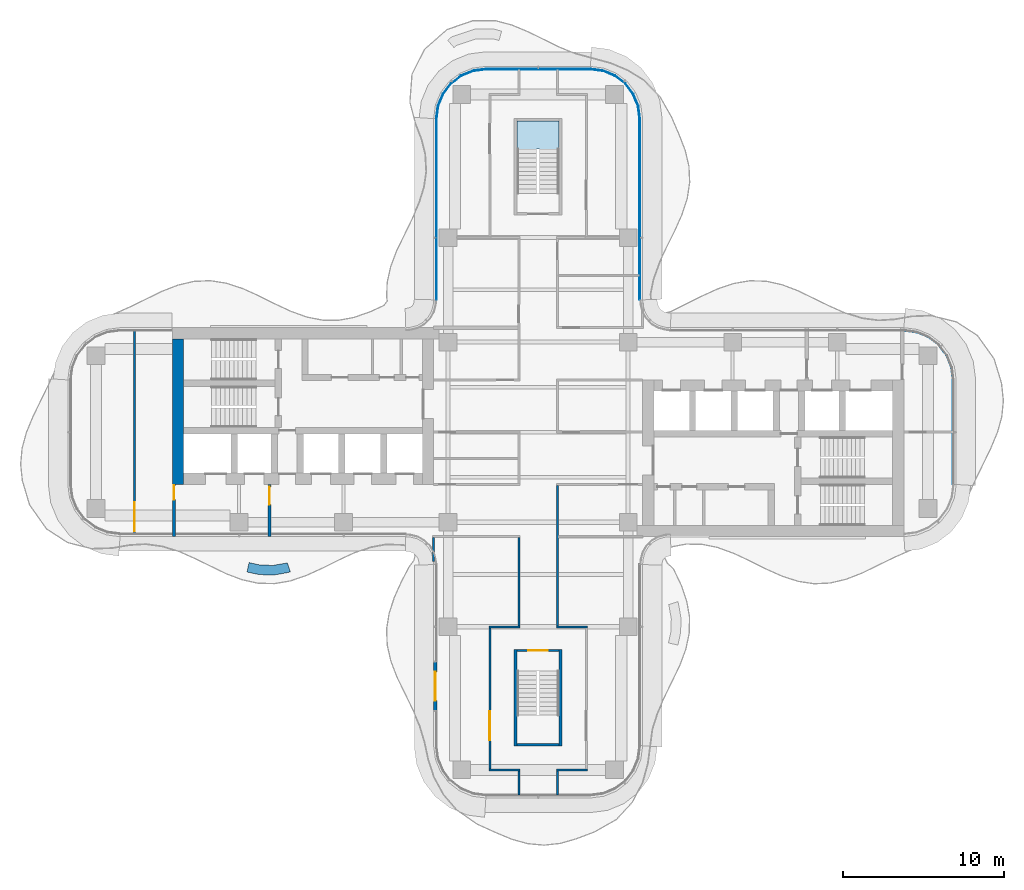
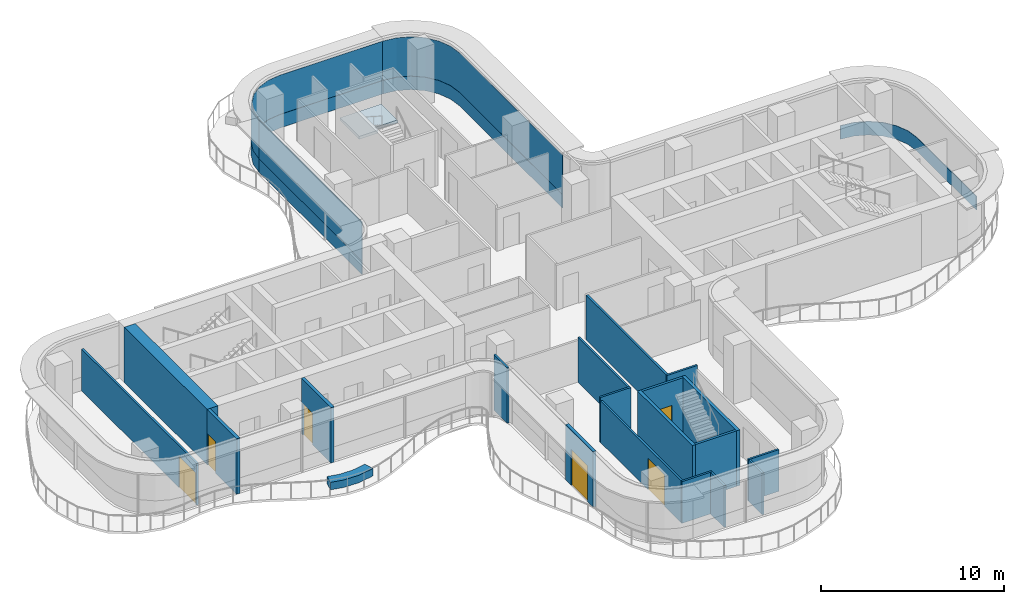
# One storey, part 10 of 16: 20 walls, 7 plates, 6 doors, 1 slab, 6 openings, 5 elements without a shape of their own.
"""IFC4 building model written with IfcOpenShell, lengths in metres."""

import ifcopenshell
import ifcopenshell.guid

model = None  # the IFC model being written
_history = None  # IfcOwnerHistory: only IFC2X3 demands one
_inside = {}  # id of a spatial element -> (the spatial element, [elements in it])
_under = {}  # id of a project, library or spatial element -> (it, [spatial elements below it])
_declared = {}  # id of a project -> (the project, [libraries it declares])
_typed = {}  # id of a type object -> (the type object, [elements of that type])
_made_of = {}  # id of a material, layer set ... -> (it, [elements and type objects made of it])


def new_model(schema):
    """Start an empty IFC model of exactly this schema.

    Asked for "IFC4X3", IfcOpenShell would pick the latest addendum, in which some entities
    have other attributes; the version numbers below select the first issue.
    IFC2X3 requires an IfcOwnerHistory on every rooted entity: one is made here for all.
    """
    global model, _history
    if schema == "IFC4X3":
        model = ifcopenshell.file(schema_version=(4, 3, 0, 0))
    else:
        model = ifcopenshell.file(schema=schema)
    _inside.clear()
    _under.clear()
    _declared.clear()
    _typed.clear()
    _made_of.clear()
    _history = None
    if model.schema == "IFC2X3":
        org = make("IfcOrganization", Name="unknown")
        user = make(
            "IfcPersonAndOrganization",
            ThePerson=make("IfcPerson", FamilyName="unknown"),
            TheOrganization=org,
        )
        app = make(
            "IfcApplication",
            ApplicationDeveloper=org,
            Version="unknown",
            ApplicationFullName="unknown",
            ApplicationIdentifier="unknown",
        )
        _history = make(
            "IfcOwnerHistory",
            OwningUser=user,
            OwningApplication=app,
            ChangeAction="ADDED",
            CreationDate=0,
        )
    return model


def make(cls, **values):
    """One entity of the class cls with the attributes given. An attribute that is None is left unset."""
    return model.create_entity(
        cls, **{name: value for name, value in values.items() if value is not None}
    )


def rooted(cls, **values):
    """An entity with a GlobalId (a new one), such as an element, a storey or a relation."""
    return make(cls, GlobalId=ifcopenshell.guid.new(), OwnerHistory=_history, **values)


def si_unit(unit_type, name, prefix=None):
    """IfcSIUnit, for example si_unit("LENGTHUNIT", "METRE", prefix="MILLI")."""
    return make("IfcSIUnit", UnitType=unit_type, Prefix=prefix, Name=name)


def assignment(units):
    """IfcUnitAssignment: the units of a project."""
    return None if units is None else make("IfcUnitAssignment", Units=units)


def point(xyz):
    """IfcCartesianPoint."""
    return None if xyz is None else make("IfcCartesianPoint", Coordinates=xyz)


def direction(xyz):
    """IfcDirection."""
    return None if xyz is None else make("IfcDirection", DirectionRatios=xyz)


def frame(location, z_axis=None, x_axis=None):
    """IfcAxis2Placement3D, a coordinate frame: its origin and axes. An axis left out is left unset."""
    return make(
        "IfcAxis2Placement3D",
        Location=point(location),
        Axis=direction(z_axis),
        RefDirection=direction(x_axis),
    )


def frame_2d(location, x_axis=None):
    """IfcAxis2Placement2D, a coordinate frame in the plane: its origin and x axis."""
    return make(
        "IfcAxis2Placement2D", Location=point(location), RefDirection=direction(x_axis)
    )


def origin():
    """The frame at (0, 0, 0) with its axes left unset."""
    return frame((0.0, 0.0, 0.0))


def place(relative_to, where):
    """IfcLocalPlacement: puts the frame where relative to a parent placement (None: the world)."""
    return make(
        "IfcLocalPlacement", PlacementRelTo=relative_to, RelativePlacement=where
    )


def context(
    kind, dimensions, precision=None, world=None, true_north=None, identifier=None
):
    """IfcGeometricRepresentationContext, for example the 3D "Model" context."""
    return make(
        "IfcGeometricRepresentationContext",
        ContextIdentifier=identifier,
        ContextType=kind,
        CoordinateSpaceDimension=dimensions,
        Precision=precision,
        WorldCoordinateSystem=world,
        TrueNorth=true_north,
    )


def subcontext(parent, identifier, kind, view, scale=None):
    """IfcGeometricRepresentationSubContext, for example "Body" below "Model"."""
    return make(
        "IfcGeometricRepresentationSubContext",
        ContextIdentifier=identifier,
        ContextType=kind,
        ParentContext=parent,
        TargetScale=scale,
        TargetView=view,
    )


def project(units=None, contexts=None):
    """IfcProject with its units and contexts."""
    return rooted(
        "IfcProject",
        Name="project",
        RepresentationContexts=contexts,
        UnitsInContext=assignment(units),
    )


def spatial(cls, under=None, at=None, **own):
    """A site, building, storey or space (cls), placed at a placement, below another one or the project."""
    s = rooted(cls, ObjectPlacement=at, **own)
    if under is not None:
        _under.setdefault(under.id(), (under, []))[1].append(s)
    return s


def polyline(points):
    """IfcPolyline through the points."""
    return make("IfcPolyline", Points=[point(p) for p in points])


def profile(cls, at=None, kind="AREA", **sizes):
    """A parametric profile (cls). Its sizes go by their IFC names, for example OverallWidth=200.0."""
    return make(cls, ProfileType=kind, Position=at, **sizes)


def rectangle(**sizes):
    """IfcRectangleProfileDef."""
    return profile("IfcRectangleProfileDef", **sizes)


def outline(outer, holes=None, kind="AREA"):
    """IfcArbitraryClosedProfileDef: a profile drawn as a closed curve; with holes, ...WithVoids."""
    if holes is None:
        return make("IfcArbitraryClosedProfileDef", ProfileType=kind, OuterCurve=outer)
    return make(
        "IfcArbitraryProfileDefWithVoids",
        ProfileType=kind,
        OuterCurve=outer,
        InnerCurves=holes,
    )


def extrude(swept, where, along, depth):
    """IfcExtrudedAreaSolid: the profile swept, set in the frame where, extruded along a direction by depth."""
    return make(
        "IfcExtrudedAreaSolid",
        SweptArea=swept,
        Position=where,
        ExtrudedDirection=direction(along),
        Depth=depth,
    )


def shape(context_of_items, identifier, shape_type, items):
    """IfcShapeRepresentation: the items that make up one representation, for example the "Body"."""
    return make(
        "IfcShapeRepresentation",
        ContextOfItems=context_of_items,
        RepresentationIdentifier=identifier,
        RepresentationType=shape_type,
        Items=items,
    )


def source(mapping_origin, context_of_items, identifier, shape_type, items):
    """IfcRepresentationMap: a shape defined once, which mapped items show again and again."""
    return make(
        "IfcRepresentationMap",
        MappingOrigin=mapping_origin,
        MappedRepresentation=shape(context_of_items, identifier, shape_type, items),
    )


def transform(
    local_origin,
    x_axis=None,
    y_axis=None,
    z_axis=None,
    scale=None,
    scale2=None,
    scale3=None,
    uniform=True,
):
    """IfcCartesianTransformationOperator3D, or its non-uniform kind. x_axis, y_axis, z_axis: its Axis1, 2, 3."""
    if uniform:
        return make(
            "IfcCartesianTransformationOperator3D",
            Axis1=direction(x_axis),
            Axis2=direction(y_axis),
            LocalOrigin=point(local_origin),
            Scale=scale,
            Axis3=direction(z_axis),
        )
    return make(
        "IfcCartesianTransformationOperator3DnonUniform",
        Axis1=direction(x_axis),
        Axis2=direction(y_axis),
        LocalOrigin=point(local_origin),
        Scale=scale,
        Axis3=direction(z_axis),
        Scale2=scale2,
        Scale3=scale3,
    )


def mapped(mapping_source, mapping_target):
    """IfcMappedItem: shows the shape of a source again, moved by a transform."""
    return make(
        "IfcMappedItem", MappingSource=mapping_source, MappingTarget=mapping_target
    )


def material(Name=None, Category=None):
    """IfcMaterial."""
    return make("IfcMaterial", Name=Name, Category=Category)


def layer(
    of_material, thickness, ventilated=None, Name=None, Category=None, Priority=None
):
    """IfcMaterialLayer: one layer of a wall or slab, of a material (None: an air gap)."""
    return make(
        "IfcMaterialLayer",
        Material=of_material,
        LayerThickness=thickness,
        IsVentilated=ventilated,
        Name=Name,
        Category=Category,
        Priority=Priority,
    )


def layer_set(layers, Name=None):
    """IfcMaterialLayerSet."""
    return make("IfcMaterialLayerSet", MaterialLayers=layers, LayerSetName=Name)


def made_of(thing, what):
    """Note that an element or type object is made of a material, layer set ...; save() writes the relation."""
    if what is not None:
        _made_of.setdefault(what.id(), (what, []))[1].append(thing)
    return thing


def type_object(cls, material=None, **own):
    """A type object (cls), such as IfcWallType, which elements share."""
    return made_of(rooted(cls, **own), material)


def element(
    cls,
    number,
    at=None,
    inside=None,
    cuts=None,
    type_object=None,
    material=None,
    context=None,
    identifier="Body",
    shape_type=None,
    held_by="IfcProductDefinitionShape",
    body=None,
    shapes=None,
    **own,
):
    """One element of the class cls, such as IfcWall. Its Tag is "e" and its number.

    at: its placement. inside: the storey or other place that contains it. cuts: it is an
    opening in that element (IfcRelVoidsElement). A single representation is given by context,
    identifier, shape_type and body (its items); several are given by shapes. held_by: the class
    of the entity that holds the representations. save() writes the other relations.
    """
    e = rooted(cls, Tag="e%d" % number, ObjectPlacement=at, **own)
    if body is not None:
        shapes = [shape(context, identifier, shape_type, body)]
    if shapes is not None:
        e.Representation = make(held_by, Representations=shapes)
    if inside is not None:
        _inside.setdefault(inside.id(), (inside, []))[1].append(e)
    if cuts is not None:
        rooted(
            "IfcRelVoidsElement", RelatingBuildingElement=cuts, RelatedOpeningElement=e
        )
    if type_object is not None:
        _typed.setdefault(type_object.id(), (type_object, []))[1].append(e)
    return made_of(e, material)


def fill(opening, filler):
    """IfcRelFillsElement: the door or window that sits in an opening."""
    return rooted(
        "IfcRelFillsElement",
        RelatingOpeningElement=opening,
        RelatedBuildingElement=filler,
    )


def aggregate(whole, parts):
    """IfcRelAggregates: a whole, such as a stair, and the parts it consists of."""
    return rooted("IfcRelAggregates", RelatingObject=whole, RelatedObjects=parts)


def save(model, path):
    """Write the relations noted so far, then the file.

    IfcRelAggregates (storeys below a building ...), IfcRelContainedInSpatialStructure (elements
    in a storey), IfcRelDefinesByType, IfcRelAssociatesMaterial and IfcRelDeclares: one each for
    every whole, place, type object, material and project.
    """
    for whole, parts in _under.values():
        aggregate(whole, parts)
    for where, things in _inside.values():
        rooted(
            "IfcRelContainedInSpatialStructure",
            RelatedElements=things,
            RelatingStructure=where,
        )
    for kind, things in _typed.values():
        rooted("IfcRelDefinesByType", RelatedObjects=things, RelatingType=kind)
    for what, things in _made_of.values():
        rooted("IfcRelAssociatesMaterial", RelatedObjects=things, RelatingMaterial=what)
    for by, libraries in _declared.values():
        rooted("IfcRelDeclares", RelatingContext=by, RelatedDefinitions=libraries)
    model.write(path)


model = new_model("IFC4")

# Units and contexts
model_context = context("Model", 3, precision=1e-05, world=origin(), true_north=direction((0.0, 1.0)))
body_context = subcontext(model_context, "Body", "Model", "MODEL_VIEW")
ifc_project = project(units=[si_unit("LENGTHUNIT", "METRE"), si_unit("AREAUNIT", "SQUARE_METRE"), si_unit("VOLUMEUNIT", "CUBIC_METRE"), si_unit("PLANEANGLEUNIT", "RADIAN"), si_unit("MASSUNIT", "GRAM", prefix="KILO")], contexts=[model_context])

# Site, building, storey
site_placement = place(None, origin())
site = spatial("IfcSite", under=ifc_project, at=site_placement, CompositionType="ELEMENT")
building_placement = place(site_placement, origin())
building = spatial("IfcBuilding", under=site, at=building_placement, Name="Trellis Farm Tower", CompositionType="ELEMENT")
storey_placement = place(building_placement, frame((0.0, 0.0, 248.0)))
storey = spatial("IfcBuildingStorey", under=building, at=storey_placement, Name="L55", CompositionType="ELEMENT", Elevation=248.0)

# Stair, slab
ifc_material_1 = material(Name="Concrete C50/60", Category="concrete")
stair_type = type_object("IfcStairType", Name="CORE EXIT STAIR 22 RISERS 177 MM", PredefinedType="HALF_TURN_STAIR", material=ifc_material_1)
placement_1 = place(storey_placement, origin())
stair = element("IfcStair", 1, at=placement_1, inside=storey, type_object=stair_type, Name="Exit stair N", PredefinedType="HALF_TURN_STAIR")
ifc_layer_1 = layer(ifc_material_1, 0.18994140625)
ifc_layer_set_1 = layer_set([ifc_layer_1], Name="CORE STAIR LANDING 190 CONCRETE C50/60")
slab_type = type_object("IfcSlabType", Name="CORE STAIR LANDING 190 CONCRETE C50/60", PredefinedType="LANDING", material=ifc_layer_set_1)
shared_shape_1 = source(origin(), body_context, "Body", "SweptSolid", [
    extrude(outline(polyline([(-0.10009765625, 17.27197265625), (-1.300048828125, 17.27197265625), (-1.300048828125, 17.60009765625), (-1.300048828125, 19.35009765625), (1.300048828125, 19.35009765625), (1.300048828125, 17.60009765625), (1.300048828125, 17.590087890625), (0.10009765625, 17.590087890625), (0.10009765625, 17.60009765625), (-0.10009765625, 17.60009765625), (-0.10009765625, 17.27197265625)])), origin(), (0.0, 0.0, 1.0), 0.18994140625),
])
slab_placement = place(storey_placement, frame((0.0, 0.0, 1.760009765625)))
slab = element("IfcSlab", 2, at=slab_placement, type_object=slab_type, Name="STN landing 1", PredefinedType="LANDING", context=body_context, shape_type="MappedRepresentation", body=[
    mapped(shared_shape_1, transform((0.0, 0.0, 0.0))),
])
aggregate(stair, [slab])

# Curtain wall, plates
ifc_material_2 = material(Name="Aluminium and glass curtain wall", Category="aluminium")
ifc_layer_2 = layer(ifc_material_2, 0.18994140625)
ifc_layer_set_2 = layer_set([ifc_layer_2], Name="RIBBON CURTAIN WALL CW1")
curtain_wall_type = type_object("IfcCurtainWallType", Name="RIBBON CURTAIN WALL CW1", PredefinedType="NOTDEFINED", material=ifc_layer_set_2)
curtain_wall_1 = element("IfcCurtainWall", 3, at=placement_1, inside=storey, type_object=curtain_wall_type, Name="CW1 009", PredefinedType="NOTDEFINED")
ifc_material_3 = material(Name="Clear insulated glass", Category="glass")
ifc_layer_3 = layer(ifc_material_3, 0.0400390625)
ifc_layer_set_3 = layer_set([ifc_layer_3], Name="CW1 GLASS PANEL 40")
plate_type_1 = type_object("IfcPlateType", Name="CW1 GLASS PANEL 40", PredefinedType="CURTAIN_PANEL", material=ifc_layer_set_3)
shared_shape_2 = source(origin(), body_context, "Body", "SweptSolid", [
    extrude(outline(polyline([(6.35009765625, 8.2265625), (6.35009765625, 19.490234375), (6.2431640625, 20.302001953125), (5.93359375, 21.04931640625), (5.441162109375, 21.691162109375), (4.79931640625, 22.18359375), (4.052001953125, 22.4931640625), (3.240234375, 22.60009765625), (3.237548828125, 22.56005859375), (4.04150390625, 22.4541015625), (4.779296875, 22.148681640625), (5.41259765625, 21.66259765625), (5.898681640625, 21.029296875), (6.2041015625, 20.29150390625), (6.31005859375, 19.487548828125), (6.31005859375, 8.22509765625), (6.35009765625, 8.2265625)])), origin(), (0.0, 0.0, 1.0), 2.6201171875),
])
placement_2 = place(storey_placement, frame((0.0, 0.0, 0.89990234375)))
plate_1 = element("IfcPlate", 4, at=placement_2, type_object=plate_type_1, Name="PL1 009", PredefinedType="CURTAIN_PANEL", context=body_context, shape_type="MappedRepresentation", body=[
    mapped(shared_shape_2, transform((0.0, 0.0, 0.0))),
])
ifc_material_4 = material(Name="Sandstone faced insulated panel", Category="masonry")
ifc_layer_4 = layer(ifc_material_4, 0.050048828125)
ifc_layer_set_4 = layer_set([ifc_layer_4], Name="CW1 STONE SPANDREL PANEL 50")
plate_type_2 = type_object("IfcPlateType", Name="CW1 STONE SPANDREL PANEL 50", PredefinedType="CURTAIN_PANEL", material=ifc_layer_set_4)
shared_shape_3 = source(origin(), body_context, "Body", "SweptSolid", [
    extrude(outline(polyline([(6.35009765625, 8.2265625), (6.35009765625, 19.490234375), (6.2431640625, 20.302001953125), (5.93359375, 21.04931640625), (5.441162109375, 21.691162109375), (4.79931640625, 22.18359375), (4.052001953125, 22.4931640625), (3.240234375, 22.60009765625), (3.23681640625, 22.550048828125), (4.0390625, 22.4443359375), (4.774169921875, 22.139892578125), (5.405517578125, 21.655517578125), (5.889892578125, 21.024169921875), (6.1943359375, 20.2890625), (6.300048828125, 19.48681640625), (6.300048828125, 8.224853515625), (6.35009765625, 8.2265625)])), origin(), (0.0, 0.0, 1.0), 0.89990234375),
])
plate_2 = element("IfcPlate", 5, at=placement_1, type_object=plate_type_2, Name="PS1 009", PredefinedType="CURTAIN_PANEL", context=body_context, shape_type="MappedRepresentation", body=[
    mapped(shared_shape_3, transform((0.0, 0.0, 0.0))),
])
aggregate(curtain_wall_1, [plate_1, plate_2])

curtain_wall_2 = element("IfcCurtainWall", 6, at=placement_1, inside=storey, type_object=curtain_wall_type, Name="CW1 010", PredefinedType="NOTDEFINED")
shared_shape_4 = source(origin(), body_context, "Body", "SweptSolid", [
    extrude(outline(polyline([(3.240234375, 22.60009765625), (-3.240234375, 22.60009765625), (-4.052001953125, 22.4931640625), (-4.79931640625, 22.18359375), (-5.441162109375, 21.691162109375), (-5.93359375, 21.04931640625), (-6.2431640625, 20.302001953125), (-6.35009765625, 19.490234375), (-6.31005859375, 19.487548828125), (-6.2041015625, 20.29150390625), (-5.898681640625, 21.029296875), (-5.41259765625, 21.66259765625), (-4.779296875, 22.148681640625), (-4.04150390625, 22.4541015625), (-3.237548828125, 22.56005859375), (3.237548828125, 22.56005859375), (3.240234375, 22.60009765625)])), origin(), (0.0, 0.0, 1.0), 2.6201171875),
])
plate_3 = element("IfcPlate", 7, at=placement_2, type_object=plate_type_1, Name="PL1 010", PredefinedType="CURTAIN_PANEL", context=body_context, shape_type="MappedRepresentation", body=[
    mapped(shared_shape_4, transform((0.0, 0.0, 0.0))),
])
shared_shape_5 = source(origin(), body_context, "Body", "SweptSolid", [
    extrude(outline(polyline([(3.240234375, 22.60009765625), (-3.240234375, 22.60009765625), (-4.052001953125, 22.4931640625), (-4.79931640625, 22.18359375), (-5.441162109375, 21.691162109375), (-5.93359375, 21.04931640625), (-6.2431640625, 20.302001953125), (-6.35009765625, 19.490234375), (-6.300048828125, 19.48681640625), (-6.1943359375, 20.2890625), (-5.889892578125, 21.024169921875), (-5.405517578125, 21.655517578125), (-4.774169921875, 22.139892578125), (-4.0390625, 22.4443359375), (-3.23681640625, 22.550048828125), (3.23681640625, 22.550048828125), (3.240234375, 22.60009765625)])), origin(), (0.0, 0.0, 1.0), 0.89990234375),
])
plate_4 = element("IfcPlate", 8, at=placement_1, type_object=plate_type_2, Name="PS1 010", PredefinedType="CURTAIN_PANEL", context=body_context, shape_type="MappedRepresentation", body=[
    mapped(shared_shape_5, transform((0.0, 0.0, 0.0))),
])
aggregate(curtain_wall_2, [plate_3, plate_4])

curtain_wall_3 = element("IfcCurtainWall", 9, at=placement_1, inside=storey, type_object=curtain_wall_type, Name="CW1 011", PredefinedType="NOTDEFINED")
shared_shape_6 = source(origin(), body_context, "Body", "SweptSolid", [
    extrude(outline(polyline([(-6.35009765625, 19.490234375), (-6.35009765625, 8.2265625), (-6.31005859375, 8.22509765625), (-6.31005859375, 19.487548828125), (-6.35009765625, 19.490234375)])), origin(), (0.0, 0.0, 1.0), 2.6201171875),
])
plate_5 = element("IfcPlate", 10, at=placement_2, type_object=plate_type_1, Name="PL1 011", PredefinedType="CURTAIN_PANEL", context=body_context, shape_type="MappedRepresentation", body=[
    mapped(shared_shape_6, transform((0.0, 0.0, 0.0))),
])
shared_shape_7 = source(origin(), body_context, "Body", "SweptSolid", [
    extrude(outline(polyline([(-6.35009765625, 19.490234375), (-6.35009765625, 8.2265625), (-6.300048828125, 8.224853515625), (-6.300048828125, 19.48681640625), (-6.35009765625, 19.490234375)])), origin(), (0.0, 0.0, 1.0), 0.89990234375),
])
plate_6 = element("IfcPlate", 11, at=placement_1, type_object=plate_type_2, Name="PS1 011", PredefinedType="CURTAIN_PANEL", context=body_context, shape_type="MappedRepresentation", body=[
    mapped(shared_shape_7, transform((0.0, 0.0, 0.0))),
])
aggregate(curtain_wall_3, [plate_5, plate_6])

# Curtain wall, plate
curtain_wall_4 = element("IfcCurtainWall", 12, at=placement_1, inside=storey, type_object=curtain_wall_type, Name="CW1 007", PredefinedType="NOTDEFINED")
shared_shape_8 = source(origin(), body_context, "Body", "SweptSolid", [
    extrude(outline(polyline([(25.85009765625, -3.240234375), (25.85009765625, 3.240234375), (25.7431640625, 4.052001953125), (25.43359375, 4.79931640625), (24.941162109375, 5.441162109375), (24.29931640625, 5.93359375), (23.552001953125, 6.2431640625), (22.740234375, 6.35009765625), (22.73681640625, 6.300048828125), (23.5390625, 6.1943359375), (24.274169921875, 5.889892578125), (24.905517578125, 5.405517578125), (25.389892578125, 4.774169921875), (25.6943359375, 4.0390625), (25.800048828125, 3.23681640625), (25.800048828125, -3.23681640625), (25.85009765625, -3.240234375)])), origin(), (0.0, 0.0, 1.0), 0.89990234375),
])
plate_7 = element("IfcPlate", 13, at=placement_1, type_object=plate_type_2, Name="PS1 007", PredefinedType="CURTAIN_PANEL", context=body_context, shape_type="MappedRepresentation", body=[
    mapped(shared_shape_8, transform((0.0, 0.0, 0.0))),
])
aggregate(curtain_wall_4, [plate_7])

# Walls
ifc_material_5 = material(Name="Sandstone faced masonry planter", Category="masonry")
ifc_layer_5 = layer(ifc_material_5, 0.60009765625)
ifc_layer_set_5 = layer_set([ifc_layer_5], Name="PLANTER BED 600")
wall_type_1 = type_object("IfcWallType", Name="PLANTER BED 600", PredefinedType="USERDEFINED", material=ifc_layer_set_5)
element("IfcWall", 14, at=placement_1, inside=storey, type_object=wall_type_1, Name="PLANTER bed", ObjectType="PLANTER", PredefinedType="USERDEFINED", context=body_context, shape_type="SweptSolid", body=[
    extrude(outline(polyline([(-16.4287109375, -8.8818359375), (-17.35107421875, -8.85888671875), (-18.105712890625, -8.693115234375), (-17.976806640625, -8.10693359375), (-17.278564453125, -8.260498046875), (-16.47314453125, -8.280517578125), (-15.681396484375, -8.142578125), (-15.603271484375, -8.1162109375), (-15.409423828125, -8.683837890625), (-15.531982421875, -8.725830078125), (-16.4287109375, -8.8818359375)])), origin(), (0.0, 0.0, 1.0), 0.5),
])
ifc_material_6 = material(Name="Concrete C60/75", Category="concrete")
ifc_layer_6 = layer(ifc_material_6, 0.699951171875)
ifc_layer_set_6 = layer_set([ifc_layer_6], Name="CORE OUTER WALL 700 CONCRETE C60/75")
wall_type_2 = type_object("IfcWallType", Name="CORE OUTER WALL 700 CONCRETE C60/75", PredefinedType="SHEAR", material=ifc_layer_set_6)
shared_shape_9 = source(origin(), body_context, "Body", "SweptSolid", [
    extrude(rectangle(XDim=9.050048828125, YDim=0.699951171875, at=frame_2d((4.52490234375, 0.0))), origin(), (0.0, 0.0, 1.0), 3.699951171875),
])
wall_2_placement = place(storey_placement, frame((-22.39990234375, 5.800048828125, 0.0), z_axis=(0.0, 0.0, 1.0), x_axis=(0.0, -1.0, 0.0)))
element("IfcWall", 15, at=wall_2_placement, inside=storey, type_object=wall_type_2, Name="Core wall", PredefinedType="SHEAR", context=body_context, shape_type="MappedRepresentation", body=[
    mapped(shared_shape_9, transform((0.0, 0.0, 0.0))),
])

# Wall, opening, door
ifc_material_7 = material(Name="Masonry blockwork", Category="masonry")
ifc_layer_7 = layer(ifc_material_7, 0.199951171875)
ifc_layer_set_7 = layer_set([ifc_layer_7], Name="FIRE LOBBY PARTITION 200 BLOCKWORK")
wall_type_3 = type_object("IfcWallType", Name="FIRE LOBBY PARTITION 200 BLOCKWORK", PredefinedType="PARTITIONING", material=ifc_layer_set_7)
shared_shape_10 = source(origin(), body_context, "Body", "SweptSolid", [
    extrude(rectangle(XDim=3.25, YDim=0.199951171875, at=frame_2d((1.625, 0.0))), origin(), (0.0, 0.0, 1.0), 3.699951171875),
])
wall_3_placement = place(storey_placement, frame((-16.699951171875, -3.25, 0.0), z_axis=(0.0, 0.0, 1.0), x_axis=(0.0, -1.0, 0.0)))
wall_3 = element("IfcWall", 16, at=wall_3_placement, inside=storey, type_object=wall_type_3, Name="Fire-fighting lobby partition", PredefinedType="PARTITIONING", context=body_context, shape_type="MappedRepresentation", body=[
    mapped(shared_shape_10, transform((0.0, 0.0, 0.0))),
])
shared_shape_11 = source(origin(), body_context, "Body", "SweptSolid", [
    extrude(rectangle(XDim=1.10009765625, YDim=2.10009765625, at=frame_2d((0.550048828125, 1.050048828125))), frame((0.0, 0.110107421875, 0.0), z_axis=(0.0, -1.0, 0.0), x_axis=(1.0, 0.0, 0.0)), (0.0, 0.0, 1.0), 0.22021484375),
])
opening_1_placement = place(wall_3_placement, frame((0.14990234375, 0.0, 0.0)))
opening_1 = element("IfcOpeningElement", 17, at=opening_1_placement, cuts=wall_3, Name="Opening DC93", PredefinedType="OPENING", context=body_context, shape_type="MappedRepresentation", body=[
    mapped(shared_shape_11, transform((0.0, 0.0, 0.0))),
])
ifc_material_8 = material(Name="Steel", Category="steel")
door_type_1 = type_object("IfcDoorType", Name="CORE FIRE DOOR 1100 X 2100", OperationType="NOTDEFINED", PredefinedType="DOOR", material=ifc_material_8)
shared_shape_12 = source(origin(), body_context, "Body", "SweptSolid", [
    extrude(rectangle(XDim=1.10009765625, YDim=2.10009765625, at=frame_2d((0.550048828125, 1.050048828125))), frame((0.0, 0.02490234375, 0.0), z_axis=(0.0, -1.0, 0.0), x_axis=(1.0, 0.0, 0.0)), (0.0, 0.0, 1.0), 0.050048828125),
])
door_1_placement = place(opening_1_placement, origin())
door_1 = element("IfcDoor", 18, at=door_1_placement, inside=storey, type_object=door_type_1, Name="Core door", OperationType="SINGLE_SWING_RIGHT", OverallHeight=2.10009765625, OverallWidth=1.10009765625, PredefinedType="DOOR", context=body_context, shape_type="MappedRepresentation", body=[
    mapped(shared_shape_12, transform((0.0, 0.0, 0.0))),
])
fill(opening_1, door_1)

wall_4_placement = place(storey_placement, frame((-22.64990234375, -3.25, 0.0), z_axis=(0.0, 0.0, 1.0), x_axis=(0.0, -1.0, 0.0)))
wall_4 = element("IfcWall", 19, at=wall_4_placement, inside=storey, type_object=wall_type_3, Name="Fire-fighting lobby partition", PredefinedType="PARTITIONING", context=body_context, shape_type="MappedRepresentation", body=[
    mapped(shared_shape_10, transform((0.0, 0.0, 0.0))),
])
shared_shape_13 = source(origin(), body_context, "Body", "SweptSolid", [
    extrude(rectangle(XDim=0.89990234375, YDim=2.10009765625, at=frame_2d((0.449951171875, 1.050048828125))), frame((0.0, 0.110107421875, 0.0), z_axis=(0.0, -1.0, 0.0), x_axis=(1.0, 0.0, 0.0)), (0.0, 0.0, 1.0), 0.22021484375),
])
opening_2_placement = place(wall_4_placement, frame((0.050048828125, 0.0, 0.0)))
opening_2 = element("IfcOpeningElement", 20, at=opening_2_placement, cuts=wall_4, Name="Opening DC94", PredefinedType="OPENING", context=body_context, shape_type="MappedRepresentation", body=[
    mapped(shared_shape_13, transform((0.0, 0.0, 0.0))),
])
door_type_2 = type_object("IfcDoorType", Name="CORE FIRE DOOR 900 X 2100", OperationType="NOTDEFINED", PredefinedType="DOOR", material=ifc_material_8)
shared_shape_14 = source(origin(), body_context, "Body", "SweptSolid", [
    extrude(rectangle(XDim=0.89990234375, YDim=2.10009765625, at=frame_2d((0.449951171875, 1.050048828125))), frame((0.0, 0.02490234375, 0.0), z_axis=(0.0, -1.0, 0.0), x_axis=(1.0, 0.0, 0.0)), (0.0, 0.0, 1.0), 0.050048828125),
])
door_2_placement = place(opening_2_placement, origin())
door_2 = element("IfcDoor", 21, at=door_2_placement, inside=storey, type_object=door_type_2, Name="Core door", OperationType="SINGLE_SWING_RIGHT", OverallHeight=2.10009765625, OverallWidth=0.89990234375, PredefinedType="DOOR", context=body_context, shape_type="MappedRepresentation", body=[
    mapped(shared_shape_14, transform((0.0, 0.0, 0.0))),
])
fill(opening_2, door_2)

# Walls
ifc_layer_8 = layer(ifc_material_6, 0.199951171875)
ifc_layer_set_8 = layer_set([ifc_layer_8], Name="CORE STAIR ENCLOSURE WALL 200 CONCRETE C60/75")
wall_type_4 = type_object("IfcWallType", Name="CORE STAIR ENCLOSURE WALL 200 CONCRETE C60/75", PredefinedType="SHEAR", material=ifc_layer_set_8)
shared_shape_15 = source(origin(), body_context, "Body", "SweptSolid", [
    extrude(rectangle(XDim=6.0, YDim=0.199951171875, at=frame_2d((3.0, 0.0))), origin(), (0.0, 0.0, 1.0), 3.699951171875),
])
for number, where, z_axis, x_axis, name in (
    (22, (1.39990234375, -13.5, 0.0), (0.0, 0.0, 1.0), (0.0, -1.0, 0.0), "Stair enclosure wall"),
    (23, (-1.39990234375, -13.5, 0.0), (0.0, 0.0, 1.0), (0.0, -1.0, 0.0), "Stair enclosure wall"),
):
    element("IfcWall", number, at=place(storey_placement, frame(where, z_axis=z_axis, x_axis=x_axis)), inside=storey, type_object=wall_type_4, Name=name, PredefinedType="SHEAR", context=body_context, shape_type="MappedRepresentation", body=[
        mapped(shared_shape_15, transform((0.0, 0.0, 0.0))),
    ])

# Wall, opening, door
ifc_layer_9 = layer(ifc_material_6, 0.14990234375)
ifc_layer_set_9 = layer_set([ifc_layer_9], Name="CORE STAIR ENCLOSURE WALL 150 CONCRETE C60/75")
wall_type_5 = type_object("IfcWallType", Name="CORE STAIR ENCLOSURE WALL 150 CONCRETE C60/75", PredefinedType="SHEAR", material=ifc_layer_set_9)
shared_shape_16 = source(origin(), body_context, "Body", "SweptSolid", [
    extrude(rectangle(XDim=2.60009765625, YDim=0.14990234375, at=frame_2d((1.300048828125, 0.0))), origin(), (0.0, 0.0, 1.0), 3.699951171875),
])
wall_5_placement = place(storey_placement, frame((1.300048828125, -13.574951171875, 0.0), z_axis=(0.0, 0.0, 1.0), x_axis=(-1.0, 0.0, 0.0)))
wall_5 = element("IfcWall", 24, at=wall_5_placement, inside=storey, type_object=wall_type_5, Name="Stair enclosure wall", PredefinedType="SHEAR", context=body_context, shape_type="MappedRepresentation", body=[
    mapped(shared_shape_16, transform((0.0, 0.0, 0.0))),
])
shared_shape_17 = source(origin(), body_context, "Body", "SweptSolid", [
    extrude(rectangle(XDim=1.199951171875, YDim=2.10009765625, at=frame_2d((0.60009765625, 1.050048828125))), frame((0.0, 0.0849609375, 0.0), z_axis=(0.0, -1.0, 0.0), x_axis=(1.0, 0.0, 0.0)), (0.0, 0.0, 1.0), 0.169921875),
])
opening_3_placement = place(wall_5_placement, frame((0.699951171875, 0.0, 0.0)))
opening_3 = element("IfcOpeningElement", 25, at=opening_3_placement, cuts=wall_5, Name="Opening DC174", PredefinedType="OPENING", context=body_context, shape_type="MappedRepresentation", body=[
    mapped(shared_shape_17, transform((0.0, 0.0, 0.0))),
])
door_type_3 = type_object("IfcDoorType", Name="CORE FIRE DOOR 1200 X 2100", OperationType="NOTDEFINED", PredefinedType="DOOR", material=ifc_material_8)
shared_shape_18 = source(origin(), body_context, "Body", "SweptSolid", [
    extrude(rectangle(XDim=1.199951171875, YDim=2.10009765625, at=frame_2d((0.60009765625, 1.050048828125))), frame((0.0, 0.02490234375, 0.0), z_axis=(0.0, -1.0, 0.0), x_axis=(1.0, 0.0, 0.0)), (0.0, 0.0, 1.0), 0.050048828125),
])
door_3_placement = place(opening_3_placement, origin())
door_3 = element("IfcDoor", 26, at=door_3_placement, inside=storey, type_object=door_type_3, Name="Core door", OperationType="SINGLE_SWING_RIGHT", OverallHeight=2.10009765625, OverallWidth=1.199951171875, PredefinedType="DOOR", context=body_context, shape_type="MappedRepresentation", body=[
    mapped(shared_shape_18, transform((0.0, 0.0, 0.0))),
])
fill(opening_3, door_3)

# Wall
wall_6_placement = place(storey_placement, frame((1.300048828125, -19.425048828125, 0.0), z_axis=(0.0, 0.0, 1.0), x_axis=(-1.0, 0.0, 0.0)))
element("IfcWall", 27, at=wall_6_placement, inside=storey, type_object=wall_type_5, Name="Stair enclosure wall", PredefinedType="SHEAR", context=body_context, shape_type="MappedRepresentation", body=[
    mapped(shared_shape_16, transform((0.0, 0.0, 0.0))),
])

# Wall, opening, door
ifc_material_9 = material(Name="Sandstone faced insulated wall", Category="masonry")
ifc_layer_10 = layer(ifc_material_9, 0.199951171875)
ifc_layer_set_10 = layer_set([ifc_layer_10], Name="EXTERNAL INFILL WALL 200")
wall_type_6 = type_object("IfcWallType", Name="EXTERNAL INFILL WALL 200", PredefinedType="SOLIDWALL", material=ifc_layer_set_10)
shared_shape_19 = source(origin(), body_context, "Body", "SweptSolid", [
    extrude(rectangle(XDim=3.0, YDim=0.199951171875, at=frame_2d((1.5, 0.0))), origin(), (0.0, 0.0, 1.0), 3.699951171875),
])
wall_7_placement = place(storey_placement, frame((-6.39990234375, -14.300048828125, 0.0), z_axis=(0.0, 0.0, 1.0), x_axis=(0.0, -1.0, 0.0)))
wall_7 = element("IfcWall", 28, at=wall_7_placement, inside=storey, type_object=wall_type_6, Name="EW1 01", PredefinedType="SOLIDWALL", context=body_context, shape_type="MappedRepresentation", body=[
    mapped(shared_shape_19, transform((0.0, 0.0, 0.0))),
])
shared_shape_20 = source(origin(), body_context, "Body", "SweptSolid", [
    extrude(rectangle(XDim=1.800048828125, YDim=2.39990234375, at=frame_2d((0.89990234375, 1.199951171875))), frame((0.0, 0.110107421875, 0.0), z_axis=(0.0, -1.0, 0.0), x_axis=(1.0, 0.0, 0.0)), (0.0, 0.0, 1.0), 0.22021484375),
])
opening_4_placement = place(wall_7_placement, frame((0.60009765625, 0.0, 0.0)))
opening_4 = element("IfcOpeningElement", 29, at=opening_4_placement, cuts=wall_7, Name="Opening ED1", PredefinedType="OPENING", context=body_context, shape_type="MappedRepresentation", body=[
    mapped(shared_shape_20, transform((0.0, 0.0, 0.0))),
])
ifc_material_10 = material(Name="Aluminium framed glazed door", Category="aluminium")
door_type_4 = type_object("IfcDoorType", Name="BALCONY DOOR 1800x2400", OperationType="DOUBLE_DOOR_SINGLE_SWING", PredefinedType="DOOR", material=ifc_material_10)
shared_shape_21 = source(origin(), body_context, "Body", "SweptSolid", [
    extrude(rectangle(XDim=1.800048828125, YDim=2.39990234375, at=frame_2d((0.89990234375, 1.199951171875))), frame((0.0, 0.02490234375, 0.0), z_axis=(0.0, -1.0, 0.0), x_axis=(1.0, 0.0, 0.0)), (0.0, 0.0, 1.0), 0.050048828125),
])
door_4_placement = place(opening_4_placement, origin())
door_4 = element("IfcDoor", 30, at=door_4_placement, inside=storey, type_object=door_type_4, Name="Balcony door", OperationType="DOUBLE_DOOR_SINGLE_SWING", OverallHeight=2.39990234375, OverallWidth=1.800048828125, PredefinedType="DOOR", context=body_context, shape_type="MappedRepresentation", body=[
    mapped(shared_shape_21, transform((0.0, 0.0, 0.0))),
])
fill(opening_4, door_4)

# Walls
ifc_material_11 = material(Name="Plasterboard on steel studs, mineral wool", Category="steel")
ifc_layer_11 = layer(ifc_material_11, 0.125)
ifc_layer_set_11 = layer_set([ifc_layer_11], Name="PARTITION 125 STUD EI 60")
wall_type_7 = type_object("IfcWallType", Name="PARTITION 125 STUD EI 60", PredefinedType="PARTITIONING", material=ifc_layer_set_11)
shared_shape_22 = source(origin(), body_context, "Body", "SweptSolid", [
    extrude(rectangle(XDim=5.47509765625, YDim=0.125, at=frame_2d((2.737548828125, 0.0))), origin(), (0.0, 0.0, 1.0), 2.99658203125),
])
wall_8_placement = place(storey_placement, frame((-1.199951171875, -6.5625, 0.0), z_axis=(0.0, 0.0, 1.0), x_axis=(0.0, -1.0, 0.0)))
element("IfcWall", 31, at=wall_8_placement, inside=storey, type_object=wall_type_7, Name="Partition PW1", PredefinedType="PARTITIONING", context=body_context, shape_type="MappedRepresentation", body=[
    mapped(shared_shape_22, transform((0.0, 0.0, 0.0))),
])
shared_shape_23 = source(origin(), body_context, "Body", "SweptSolid", [
    extrude(rectangle(XDim=1.468994140625, YDim=0.125, at=frame_2d((0.734375, 0.0))), origin(), (0.0, 0.0, 1.0), 3.699951171875),
])
wall_9_placement = place(storey_placement, frame((-6.5, -6.5625, 0.0), z_axis=(0.0, 0.0, 1.0), x_axis=(0.0, -1.0, 0.0)))
element("IfcWall", 32, at=wall_9_placement, inside=storey, type_object=wall_type_7, Name="Partition PW1", PredefinedType="PARTITIONING", context=body_context, shape_type="MappedRepresentation", body=[
    mapped(shared_shape_23, transform((0.0, 0.0, 0.0))),
])

# Wall, opening, door
shared_shape_24 = source(origin(), body_context, "Body", "SweptSolid", [
    extrude(rectangle(XDim=12.60009765625, YDim=0.125, at=frame_2d((6.300048828125, 0.0))), origin(), (0.0, 0.0, 1.0), 2.780029296875),
])
wall_10_placement = place(storey_placement, frame((-25.10009765625, -6.300048828125, 0.0), z_axis=(0.0, 0.0, 1.0), x_axis=(0.0, 1.0, 0.0)))
wall_10 = element("IfcWall", 33, at=wall_10_placement, inside=storey, type_object=wall_type_7, Name="Partition PW1", PredefinedType="PARTITIONING", context=body_context, shape_type="MappedRepresentation", body=[
    mapped(shared_shape_24, transform((0.0, 0.0, 0.0))),
])
shared_shape_25 = source(origin(), body_context, "Body", "SweptSolid", [
    extrude(rectangle(XDim=1.800048828125, YDim=2.10009765625, at=frame_2d((0.89990234375, 1.050048828125))), frame((0.0, 0.072509765625, 0.0), z_axis=(0.0, -1.0, 0.0), x_axis=(1.0, 0.0, 0.0)), (0.0, 0.0, 1.0), 0.14501953125),
])
opening_5_placement = place(wall_10_placement, frame((0.14990234375, 0.0, 0.0)))
opening_5 = element("IfcOpeningElement", 34, at=opening_5_placement, cuts=wall_10, Name="Opening D203", PredefinedType="OPENING", context=body_context, shape_type="MappedRepresentation", body=[
    mapped(shared_shape_25, transform((0.0, 0.0, 0.0))),
])
ifc_material_12 = material(Name="Fire-rated timber door leaf in a hollow metal frame", Category="wood")
door_type_5 = type_object("IfcDoorType", Name="DOOR PAIR 1800x2100 FD30S", OperationType="NOTDEFINED", PredefinedType="DOOR", material=ifc_material_12)
shared_shape_26 = source(origin(), body_context, "Body", "SweptSolid", [
    extrude(rectangle(XDim=1.800048828125, YDim=2.10009765625, at=frame_2d((0.89990234375, 1.050048828125))), frame((0.0, 0.02490234375, 0.0), z_axis=(0.0, -1.0, 0.0), x_axis=(1.0, 0.0, 0.0)), (0.0, 0.0, 1.0), 0.050048828125),
])
door_5_placement = place(opening_5_placement, origin())
door_5 = element("IfcDoor", 35, at=door_5_placement, inside=storey, type_object=door_type_5, Name="Door D203", OperationType="DOUBLE_DOOR_SINGLE_SWING", OverallHeight=2.10009765625, OverallWidth=1.800048828125, PredefinedType="DOOR", context=body_context, shape_type="MappedRepresentation", body=[
    mapped(shared_shape_26, transform((0.0, 0.0, 0.0))),
])
fill(opening_5, door_5)

# Walls
shared_shape_27 = source(origin(), body_context, "Body", "SweptSolid", [
    extrude(rectangle(XDim=8.72509765625, YDim=0.125, at=frame_2d((4.362548828125, 0.0))), origin(), (0.0, 0.0, 1.0), 2.99658203125),
])
wall_11_placement = place(storey_placement, frame((1.199951171875, -3.3125, 0.0), z_axis=(0.0, 0.0, 1.0), x_axis=(0.0, -1.0, 0.0)))
element("IfcWall", 36, at=wall_11_placement, inside=storey, type_object=wall_type_7, Name="Partition PW1", PredefinedType="PARTITIONING", context=body_context, shape_type="MappedRepresentation", body=[
    mapped(shared_shape_27, transform((0.0, 0.0, 0.0))),
])
shared_shape_28 = source(origin(), body_context, "Body", "SweptSolid", [
    extrude(rectangle(XDim=1.925048828125, YDim=0.125, at=frame_2d((0.96240234375, 0.0))), origin(), (0.0, 0.0, 1.0), 2.99658203125),
])
for number, where, z_axis, x_axis, name in (
    (37, (-3.0625, -12.10009765625, 0.0), (0.0, 0.0, 1.0), (1.0, 0.0, 0.0), "Partition PW1"),
    (38, (1.137451171875, -12.10009765625, 0.0), (0.0, 0.0, 1.0), (1.0, 0.0, 0.0), "Partition PW1"),
):
    element("IfcWall", number, at=place(storey_placement, frame(where, z_axis=z_axis, x_axis=x_axis)), inside=storey, type_object=wall_type_7, Name=name, PredefinedType="PARTITIONING", context=body_context, shape_type="MappedRepresentation", body=[
        mapped(shared_shape_28, transform((0.0, 0.0, 0.0))),
    ])

# Wall, opening, door
shared_shape_29 = source(origin(), body_context, "Body", "SweptSolid", [
    extrude(rectangle(XDim=8.77490234375, YDim=0.125, at=frame_2d((4.387451171875, 0.0))), origin(), (0.0, 0.0, 1.0), 2.780029296875),
])
wall_12_placement = place(storey_placement, frame((-3.0, -20.9375, 0.0), z_axis=(0.0, 0.0, 1.0), x_axis=(0.0, 1.0, 0.0)))
wall_12 = element("IfcWall", 39, at=wall_12_placement, inside=storey, type_object=wall_type_7, Name="Partition PW1", PredefinedType="PARTITIONING", context=body_context, shape_type="MappedRepresentation", body=[
    mapped(shared_shape_29, transform((0.0, 0.0, 0.0))),
])
opening_6_placement = place(wall_12_placement, frame((1.78759765625, 0.0, 0.0)))
opening_6 = element("IfcOpeningElement", 40, at=opening_6_placement, cuts=wall_12, Name="Opening D201", PredefinedType="OPENING", context=body_context, shape_type="MappedRepresentation", body=[
    mapped(shared_shape_25, transform((0.0, 0.0, 0.0))),
])
door_6_placement = place(opening_6_placement, origin())
door_6 = element("IfcDoor", 41, at=door_6_placement, inside=storey, type_object=door_type_5, Name="Door D201", OperationType="DOUBLE_DOOR_SINGLE_SWING", OverallHeight=2.10009765625, OverallWidth=1.800048828125, PredefinedType="DOOR", context=body_context, shape_type="MappedRepresentation", body=[
    mapped(shared_shape_26, transform((0.0, 0.0, 0.0))),
])
fill(opening_6, door_6)

# Walls
shared_shape_30 = source(origin(), body_context, "Body", "SweptSolid", [
    extrude(rectangle(XDim=1.487548828125, YDim=0.125, at=frame_2d((0.74365234375, 0.0))), origin(), (0.0, 0.0, 1.0), 2.780029296875),
])
for number, where, z_axis, x_axis, name in (
    (42, (-1.199951171875, -21.0625, 0.0), (0.0, 0.0, 1.0), (0.0, -1.0, 0.0), "Partition PW1"),
    (43, (1.199951171875, -21.0625, 0.0), (0.0, 0.0, 1.0), (0.0, -1.0, 0.0), "Partition PW1"),
):
    element("IfcWall", number, at=place(storey_placement, frame(where, z_axis=z_axis, x_axis=x_axis)), inside=storey, type_object=wall_type_7, Name=name, PredefinedType="PARTITIONING", context=body_context, shape_type="MappedRepresentation", body=[
        mapped(shared_shape_30, transform((0.0, 0.0, 0.0))),
    ])
shared_shape_31 = source(origin(), body_context, "Body", "SweptSolid", [
    extrude(rectangle(XDim=1.925048828125, YDim=0.125, at=frame_2d((0.96240234375, 0.0))), origin(), (0.0, 0.0, 1.0), 2.780029296875),
])
for number, where, z_axis, x_axis, name in (
    (44, (-1.137451171875, -21.0, 0.0), (0.0, 0.0, 1.0), (-1.0, 0.0, 0.0), "Partition PW1"),
    (45, (3.0625, -21.0, 0.0), (0.0, 0.0, 1.0), (-1.0, 0.0, 0.0), "Partition PW1"),
):
    element("IfcWall", number, at=place(storey_placement, frame(where, z_axis=z_axis, x_axis=x_axis)), inside=storey, type_object=wall_type_7, Name=name, PredefinedType="PARTITIONING", context=body_context, shape_type="MappedRepresentation", body=[
        mapped(shared_shape_31, transform((0.0, 0.0, 0.0))),
    ])

save(model, "model.ifc")
